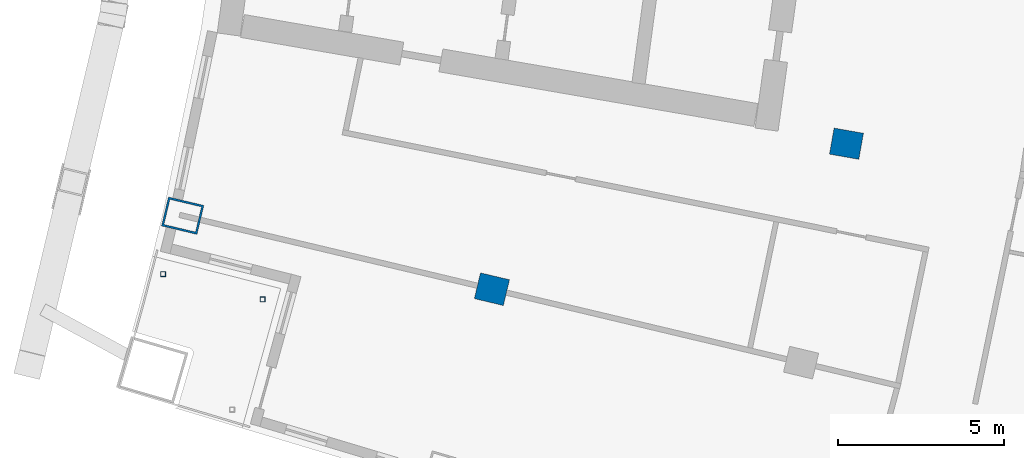
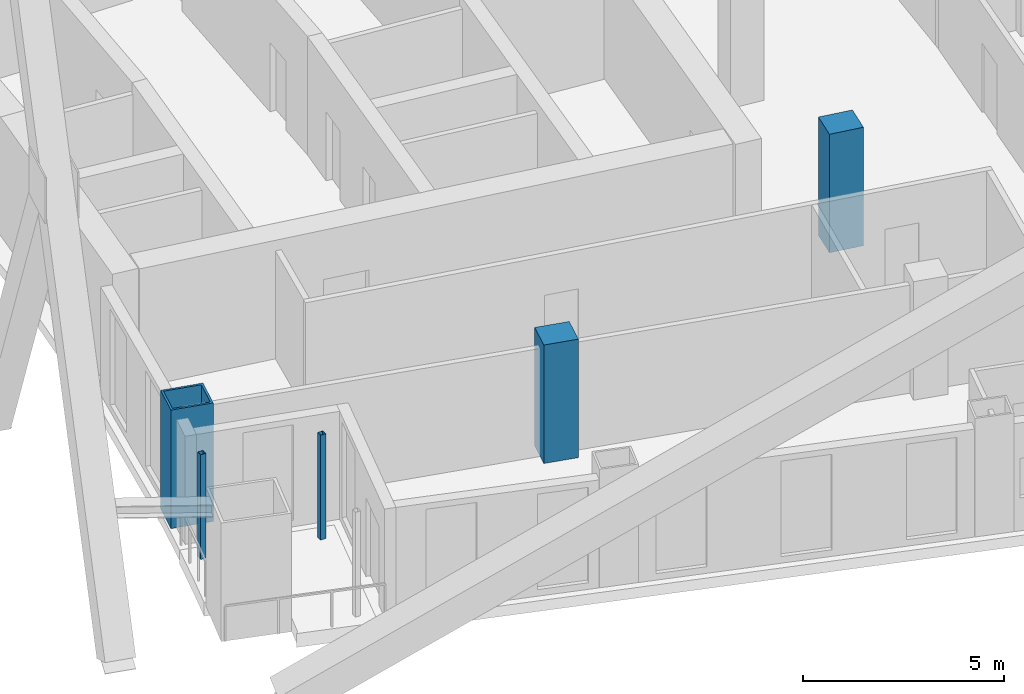
# One storey, part 3 of 22: 5 columns.
"""IFC4 building model written with IfcOpenShell, lengths in metres."""

import ifcopenshell
import ifcopenshell.guid

model = None  # the IFC model being written
_history = None  # IfcOwnerHistory: only IFC2X3 demands one
_inside = {}  # id of a spatial element -> (the spatial element, [elements in it])
_under = {}  # id of a project, library or spatial element -> (it, [spatial elements below it])
_declared = {}  # id of a project -> (the project, [libraries it declares])
_typed = {}  # id of a type object -> (the type object, [elements of that type])
_made_of = {}  # id of a material, layer set ... -> (it, [elements and type objects made of it])


def new_model(schema):
    """Start an empty IFC model of exactly this schema.

    Asked for "IFC4X3", IfcOpenShell would pick the latest addendum, in which some entities
    have other attributes; the version numbers below select the first issue.
    IFC2X3 requires an IfcOwnerHistory on every rooted entity: one is made here for all.
    """
    global model, _history
    if schema == "IFC4X3":
        model = ifcopenshell.file(schema_version=(4, 3, 0, 0))
    else:
        model = ifcopenshell.file(schema=schema)
    _inside.clear()
    _under.clear()
    _declared.clear()
    _typed.clear()
    _made_of.clear()
    _history = None
    if model.schema == "IFC2X3":
        org = make("IfcOrganization", Name="unknown")
        user = make(
            "IfcPersonAndOrganization",
            ThePerson=make("IfcPerson", FamilyName="unknown"),
            TheOrganization=org,
        )
        app = make(
            "IfcApplication",
            ApplicationDeveloper=org,
            Version="unknown",
            ApplicationFullName="unknown",
            ApplicationIdentifier="unknown",
        )
        _history = make(
            "IfcOwnerHistory",
            OwningUser=user,
            OwningApplication=app,
            ChangeAction="ADDED",
            CreationDate=0,
        )
    return model


def make(cls, **values):
    """One entity of the class cls with the attributes given. An attribute that is None is left unset."""
    return model.create_entity(
        cls, **{name: value for name, value in values.items() if value is not None}
    )


def rooted(cls, **values):
    """An entity with a GlobalId (a new one), such as an element, a storey or a relation."""
    return make(cls, GlobalId=ifcopenshell.guid.new(), OwnerHistory=_history, **values)


def si_unit(unit_type, name, prefix=None):
    """IfcSIUnit, for example si_unit("LENGTHUNIT", "METRE", prefix="MILLI")."""
    return make("IfcSIUnit", UnitType=unit_type, Prefix=prefix, Name=name)


def assignment(units):
    """IfcUnitAssignment: the units of a project."""
    return None if units is None else make("IfcUnitAssignment", Units=units)


def point(xyz):
    """IfcCartesianPoint."""
    return None if xyz is None else make("IfcCartesianPoint", Coordinates=xyz)


def direction(xyz):
    """IfcDirection."""
    return None if xyz is None else make("IfcDirection", DirectionRatios=xyz)


def frame(location, z_axis=None, x_axis=None):
    """IfcAxis2Placement3D, a coordinate frame: its origin and axes. An axis left out is left unset."""
    return make(
        "IfcAxis2Placement3D",
        Location=point(location),
        Axis=direction(z_axis),
        RefDirection=direction(x_axis),
    )


def frame_2d(location, x_axis=None):
    """IfcAxis2Placement2D, a coordinate frame in the plane: its origin and x axis."""
    return make(
        "IfcAxis2Placement2D", Location=point(location), RefDirection=direction(x_axis)
    )


def origin():
    """The frame at (0, 0, 0) with its axes left unset."""
    return frame((0.0, 0.0, 0.0))


def origin_2d():
    """The frame at (0, 0) in the plane with its x axis left unset."""
    return frame_2d((0.0, 0.0))


def place(relative_to, where):
    """IfcLocalPlacement: puts the frame where relative to a parent placement (None: the world)."""
    return make(
        "IfcLocalPlacement", PlacementRelTo=relative_to, RelativePlacement=where
    )


def context(
    kind, dimensions, precision=None, world=None, true_north=None, identifier=None
):
    """IfcGeometricRepresentationContext, for example the 3D "Model" context."""
    return make(
        "IfcGeometricRepresentationContext",
        ContextIdentifier=identifier,
        ContextType=kind,
        CoordinateSpaceDimension=dimensions,
        Precision=precision,
        WorldCoordinateSystem=world,
        TrueNorth=true_north,
    )


def subcontext(parent, identifier, kind, view, scale=None):
    """IfcGeometricRepresentationSubContext, for example "Body" below "Model"."""
    return make(
        "IfcGeometricRepresentationSubContext",
        ContextIdentifier=identifier,
        ContextType=kind,
        ParentContext=parent,
        TargetScale=scale,
        TargetView=view,
    )


def project(units=None, contexts=None):
    """IfcProject with its units and contexts."""
    return rooted(
        "IfcProject",
        Name="project",
        RepresentationContexts=contexts,
        UnitsInContext=assignment(units),
    )


def spatial(cls, under=None, at=None, **own):
    """A site, building, storey or space (cls), placed at a placement, below another one or the project."""
    s = rooted(cls, ObjectPlacement=at, **own)
    if under is not None:
        _under.setdefault(under.id(), (under, []))[1].append(s)
    return s


def profile(cls, at=None, kind="AREA", **sizes):
    """A parametric profile (cls). Its sizes go by their IFC names, for example OverallWidth=200.0."""
    return make(cls, ProfileType=kind, Position=at, **sizes)


def rectangle(**sizes):
    """IfcRectangleProfileDef."""
    return profile("IfcRectangleProfileDef", **sizes)


def hollow_rectangle(**sizes):
    """IfcRectangleHollowProfileDef."""
    return profile("IfcRectangleHollowProfileDef", **sizes)


def extrude(swept, where, along, depth):
    """IfcExtrudedAreaSolid: the profile swept, set in the frame where, extruded along a direction by depth."""
    return make(
        "IfcExtrudedAreaSolid",
        SweptArea=swept,
        Position=where,
        ExtrudedDirection=direction(along),
        Depth=depth,
    )


def shape(context_of_items, identifier, shape_type, items):
    """IfcShapeRepresentation: the items that make up one representation, for example the "Body"."""
    return make(
        "IfcShapeRepresentation",
        ContextOfItems=context_of_items,
        RepresentationIdentifier=identifier,
        RepresentationType=shape_type,
        Items=items,
    )


def material(Name=None, Category=None):
    """IfcMaterial."""
    return make("IfcMaterial", Name=Name, Category=Category)


def material_profile(
    of_material, cross_section, Name=None, Category=None, Priority=None
):
    """IfcMaterialProfile: a cross section and its material."""
    return make(
        "IfcMaterialProfile",
        Name=Name,
        Material=of_material,
        Profile=cross_section,
        Priority=Priority,
        Category=Category,
    )


def profile_set(profiles, Name=None, composite=None):
    """IfcMaterialProfileSet."""
    return make(
        "IfcMaterialProfileSet",
        Name=Name,
        MaterialProfiles=profiles,
        CompositeProfile=composite,
    )


def made_of(thing, what):
    """Note that an element or type object is made of a material, layer set ...; save() writes the relation."""
    if what is not None:
        _made_of.setdefault(what.id(), (what, []))[1].append(thing)
    return thing


def type_object(cls, material=None, **own):
    """A type object (cls), such as IfcWallType, which elements share."""
    return made_of(rooted(cls, **own), material)


def element(
    cls,
    number,
    at=None,
    inside=None,
    cuts=None,
    type_object=None,
    material=None,
    context=None,
    identifier="Body",
    shape_type=None,
    held_by="IfcProductDefinitionShape",
    body=None,
    shapes=None,
    **own,
):
    """One element of the class cls, such as IfcWall. Its Tag is "e" and its number.

    at: its placement. inside: the storey or other place that contains it. cuts: it is an
    opening in that element (IfcRelVoidsElement). A single representation is given by context,
    identifier, shape_type and body (its items); several are given by shapes. held_by: the class
    of the entity that holds the representations. save() writes the other relations.
    """
    e = rooted(cls, Tag="e%d" % number, ObjectPlacement=at, **own)
    if body is not None:
        shapes = [shape(context, identifier, shape_type, body)]
    if shapes is not None:
        e.Representation = make(held_by, Representations=shapes)
    if inside is not None:
        _inside.setdefault(inside.id(), (inside, []))[1].append(e)
    if cuts is not None:
        rooted(
            "IfcRelVoidsElement", RelatingBuildingElement=cuts, RelatedOpeningElement=e
        )
    if type_object is not None:
        _typed.setdefault(type_object.id(), (type_object, []))[1].append(e)
    return made_of(e, material)


def aggregate(whole, parts):
    """IfcRelAggregates: a whole, such as a stair, and the parts it consists of."""
    return rooted("IfcRelAggregates", RelatingObject=whole, RelatedObjects=parts)


def save(model, path):
    """Write the relations noted so far, then the file.

    IfcRelAggregates (storeys below a building ...), IfcRelContainedInSpatialStructure (elements
    in a storey), IfcRelDefinesByType, IfcRelAssociatesMaterial and IfcRelDeclares: one each for
    every whole, place, type object, material and project.
    """
    for whole, parts in _under.values():
        aggregate(whole, parts)
    for where, things in _inside.values():
        rooted(
            "IfcRelContainedInSpatialStructure",
            RelatedElements=things,
            RelatingStructure=where,
        )
    for kind, things in _typed.values():
        rooted("IfcRelDefinesByType", RelatedObjects=things, RelatingType=kind)
    for what, things in _made_of.values():
        rooted("IfcRelAssociatesMaterial", RelatedObjects=things, RelatingMaterial=what)
    for by, libraries in _declared.values():
        rooted("IfcRelDeclares", RelatingContext=by, RelatedDefinitions=libraries)
    model.write(path)


model = new_model("IFC4")

# Units and contexts
model_context = context("Model", 3, precision=1e-05, world=origin(), true_north=direction((0.0, 1.0)))
body_context = subcontext(model_context, "Body", "Model", "MODEL_VIEW")
ifc_project = project(units=[si_unit("LENGTHUNIT", "METRE"), si_unit("AREAUNIT", "SQUARE_METRE"), si_unit("VOLUMEUNIT", "CUBIC_METRE"), si_unit("PLANEANGLEUNIT", "RADIAN"), si_unit("MASSUNIT", "GRAM", prefix="KILO")], contexts=[model_context])

# Site, building, storey
site_placement = place(None, origin())
site = spatial("IfcSite", under=ifc_project, at=site_placement, CompositionType="ELEMENT")
building_placement = place(site_placement, origin())
building = spatial("IfcBuilding", under=site, at=building_placement, Name="Alderwake Tower", CompositionType="ELEMENT")
storey_placement = place(building_placement, frame((0.0, 0.0, 160.39990234375)))
storey = spatial("IfcBuildingStorey", under=building, at=storey_placement, Name="L39", CompositionType="ELEMENT", Elevation=160.39990234375)

# Columns
ifc_material_1 = material(Name="Concrete C70/85", Category="concrete")
ifc_material_profile_1 = material_profile(ifc_material_1, rectangle(XDim=0.800048828125, YDim=0.89990234375, at=origin_2d()), Name="RC 900X800")
ifc_profile_set_1 = profile_set([ifc_material_profile_1], Name="Concrete C70/85")
column_type_1 = type_object("IfcColumnType", Name="Interior column Z3", PredefinedType="COLUMN", material=ifc_profile_set_1)
for number, where, z_axis, x_axis, name in (
    (1, (23.322021484375, 36.444091796875, 0.0), (0.0, 0.0, 1.0), (0.231221547198, 0.972901123502, 0.0), "Column R03-C1"),
    (2, (34.03125, 40.83837890625, 0.0), (0.0, 0.0, 1.0), (0.174108800747, 0.984726421654, 0.0), "Column R04-C2"),
):
    element("IfcColumn", number, at=place(storey_placement, frame(where, z_axis=z_axis, x_axis=x_axis)), inside=storey, type_object=column_type_1, Name=name, PredefinedType="COLUMN", context=body_context, shape_type="SweptSolid", body=[
        extrude(rectangle(XDim=0.800048828125, YDim=0.89990234375, at=origin_2d()), origin(), (0.0, 0.0, 1.0), 3.60009765625),
    ])
ifc_material_2 = material(Name="Steel ASTM A500 Grade C", Category="steel")
ifc_material_profile_2 = material_profile(ifc_material_2, hollow_rectangle(XDim=0.15234375, YDim=0.15234375, WallThickness=0.0087890625, at=origin_2d()), Name="HSS6X6X3/8")
ifc_profile_set_2 = profile_set([ifc_material_profile_2], Name="Steel ASTM A500 Grade C")
column_type_2 = type_object("IfcColumnType", Name="Light post HSS6X6X3/8", PredefinedType="COLUMN", material=ifc_profile_set_2)
for number, where, z_axis, x_axis, name in (
    (3, (13.3896484375, 36.896484375, 0.0), (0.0, 0.0, 1.0), (1.0, 0.0, 0.0), "Terrace post RS1"),
    (4, (16.39501953125, 36.135986328125, 0.0), (0.0, 0.0, 1.0), (1.0, 0.0, 0.0), "Terrace post RS3"),
):
    element("IfcColumn", number, at=place(storey_placement, frame(where, z_axis=z_axis, x_axis=x_axis)), inside=storey, type_object=column_type_2, Name=name, PredefinedType="COLUMN", context=body_context, shape_type="SweptSolid", body=[
        extrude(hollow_rectangle(XDim=0.15234375, YDim=0.15234375, WallThickness=0.0087890625, at=origin_2d()), origin(), (0.0, 0.0, 1.0), 3.18017578125),
    ])
ifc_material_3 = material(Name="Steel ASTM A572 Grade 50 concrete filled C70/85", Category="concrete")
ifc_material_profile_3 = material_profile(ifc_material_3, hollow_rectangle(XDim=0.89990234375, YDim=1.10009765625, WallThickness=0.06005859375, at=origin_2d()), Name="BOX 1100X900X60")
ifc_profile_set_3 = profile_set([ifc_material_profile_3], Name="Steel ASTM A572 Grade 50 concrete filled C70/85")
column_type_3 = type_object("IfcColumnType", Name="Perimeter column Z3", PredefinedType="COLUMN", material=ifc_profile_set_3)
column_placement = place(storey_placement, frame((13.982177734375, 38.6640625, 0.0), z_axis=(0.0, 0.0, 1.0), x_axis=(0.231221547198, 0.972901123502, 0.0)))
element("IfcColumn", 5, at=column_placement, inside=storey, type_object=column_type_3, Name="Column R03-C0", PredefinedType="COLUMN", context=body_context, shape_type="SweptSolid", body=[
    extrude(hollow_rectangle(XDim=0.89990234375, YDim=1.10009765625, WallThickness=0.06005859375, at=origin_2d()), origin(), (0.0, 0.0, 1.0), 3.60009765625),
])

save(model, "model.ifc")
